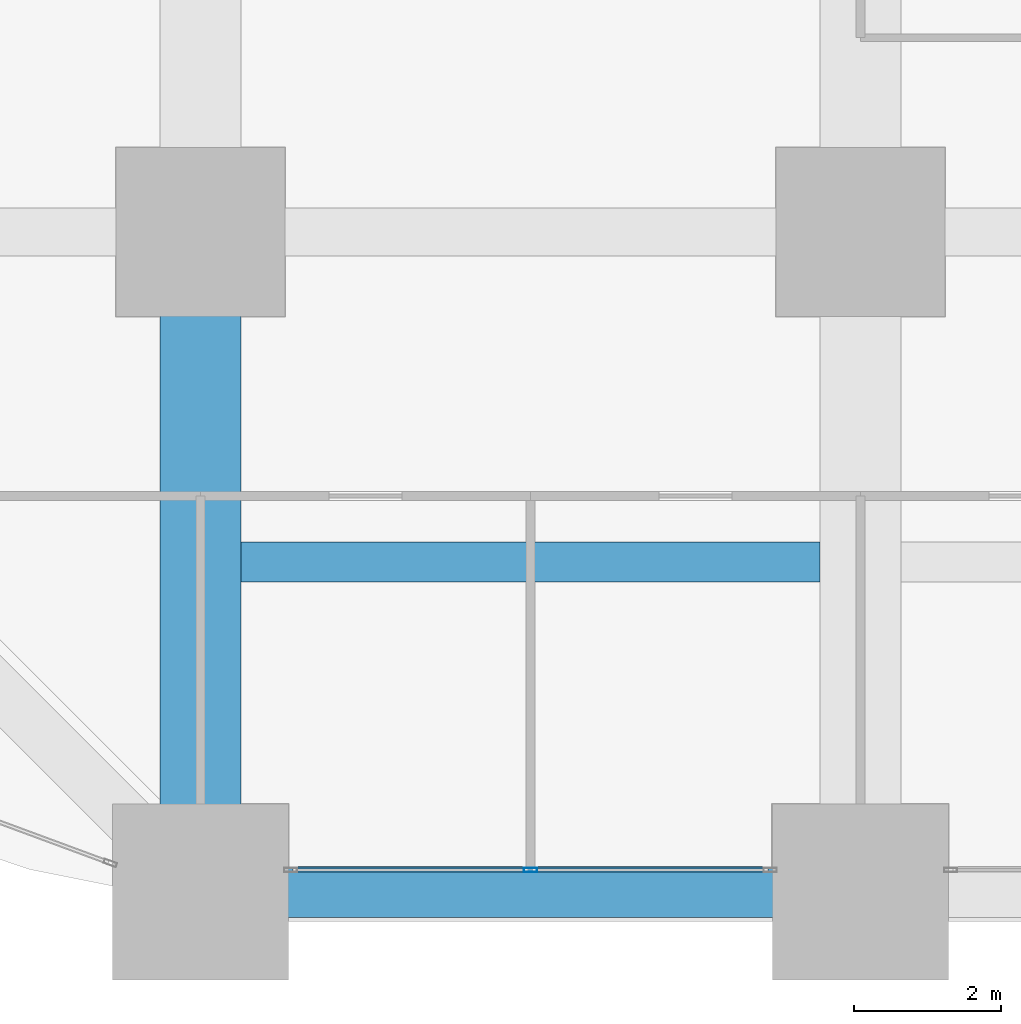
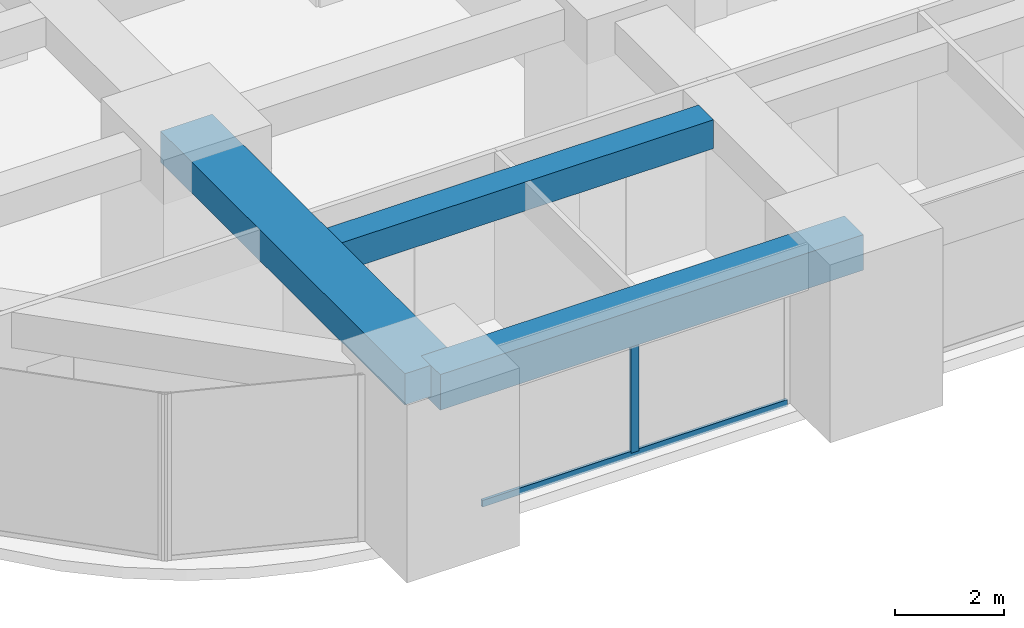
# One storey, part 3 of 44: 3 beams, 2 members, 1 element without a shape of its own.
"""IFC4 building model written with IfcOpenShell, lengths in metres."""

from ifc_helpers import new_model, si_unit, direction, frame, origin, origin_2d, place, context, subcontext, project, spatial, rectangle, hollow_rectangle, extrude, material, material_profile, profile_set, type_object, element, aggregate, save


model = new_model("IFC4")

# Units and contexts
model_context = context("Model", 3, precision=1e-05, world=origin(), true_north=direction((0.0, 1.0)))
body_context = subcontext(model_context, "Body", "Model", "MODEL_VIEW")
ifc_project = project(units=[si_unit("LENGTHUNIT", "METRE"), si_unit("AREAUNIT", "SQUARE_METRE"), si_unit("VOLUMEUNIT", "CUBIC_METRE"), si_unit("PLANEANGLEUNIT", "RADIAN"), si_unit("MASSUNIT", "GRAM", prefix="KILO")], contexts=[model_context])

# Site, building, storey
site_placement = place(None, origin())
site = spatial("IfcSite", under=ifc_project, at=site_placement, CompositionType="ELEMENT")
building_placement = place(site_placement, origin())
building = spatial("IfcBuilding", under=site, at=building_placement, Name="Zorevar Civic Tower", CompositionType="ELEMENT")
storey_placement = place(building_placement, frame((0.0, 0.0, 43.800048828125)))
storey = spatial("IfcBuildingStorey", under=building, at=storey_placement, Name="L10", CompositionType="ELEMENT", Elevation=43.800048828125)

# Beams
ifc_material_1 = material(Name="Concrete C50/60", Category="concrete")
ifc_material_profile_1 = material_profile(ifc_material_1, rectangle(XDim=1.10009765625, YDim=0.699951171875, at=origin_2d()), Name="RC 1100x700")
ifc_profile_set_1 = profile_set([ifc_material_profile_1], Name="Concrete C50/60")
beam_type_1 = type_object("IfcBeamType", Name="Beam RC 1100x700", PredefinedType="BEAM", material=ifc_profile_set_1)
beam_1_placement = place(storey_placement, frame((9.0, 0.0, 3.39990234375), z_axis=(0.0, 1.0, 0.0), x_axis=(-1.0, 0.0, 0.0)))
element("IfcBeam", 1, at=beam_1_placement, inside=storey, type_object=beam_type_1, Name="Girder L11", PredefinedType="BEAM", context=body_context, shape_type="SweptSolid", body=[
    extrude(rectangle(XDim=1.10009765625, YDim=0.699951171875, at=origin_2d()), origin(), (0.0, 0.0, 1.0), 9.0),
])
ifc_material_2 = material(Name="Concrete C50/60", Category="concrete")
ifc_material_profile_2 = material_profile(ifc_material_2, rectangle(XDim=0.550048828125, YDim=0.64990234375, at=origin_2d()), Name="RC 550x650")
ifc_profile_set_2 = profile_set([ifc_material_profile_2], Name="Concrete C50/60")
beam_type_2 = type_object("IfcBeamType", Name="Beam RC 550x650", PredefinedType="BEAM", material=ifc_profile_set_2)
beam_2_placement = place(storey_placement, frame((9.550048828125, 4.5, 3.425048828125), z_axis=(1.0, 0.0, 0.0), x_axis=(0.0, 1.0, 0.0)))
element("IfcBeam", 2, at=beam_2_placement, inside=storey, type_object=beam_type_2, Name="Secondary beam L11", PredefinedType="BEAM", context=body_context, shape_type="SweptSolid", body=[
    extrude(rectangle(XDim=0.550048828125, YDim=0.64990234375, at=origin_2d()), origin(), (0.0, 0.0, 1.0), 7.89990234375),
])

# Curtain wall, members
ifc_material_3 = material(Name="Dark grey solar-control glass in black aluminium frame", Category="aluminium")
curtain_wall_type = type_object("IfcCurtainWallType", Name="Curtain wall CW2 low zone", PredefinedType="NOTDEFINED", material=ifc_material_3)
curtain_wall_placement = place(storey_placement, origin())
curtain_wall = element("IfcCurtainWall", 3, at=curtain_wall_placement, inside=storey, type_object=curtain_wall_type, Name="CW2 L10", PredefinedType="NOTDEFINED")
ifc_material_4 = material(Name="Aluminium, black anodised", Category="aluminium")
ifc_material_profile_3 = material_profile(ifc_material_4, hollow_rectangle(XDim=0.06005859375, YDim=0.179931640625, WallThickness=0.00390625, at=origin_2d()), Name="AL 180x60x4")
ifc_profile_set_3 = profile_set([ifc_material_profile_3], Name="Aluminium, black anodised")
member_type_1 = type_object("IfcMemberType", Name="CW2 mullion AL 180x60x4", PredefinedType="MULLION", material=ifc_profile_set_3)
member_1_placement = place(storey_placement, frame((13.5, 0.300048828125, 0.06005859375), z_axis=(0.0, 0.0, 1.0), x_axis=(0.0, 1.0, 0.0)))
member_1 = element("IfcMember", 4, at=member_1_placement, type_object=member_type_1, Name="CW2 mullion 2", PredefinedType="MULLION", context=body_context, shape_type="SweptSolid", body=[
    extrude(hollow_rectangle(XDim=0.06005859375, YDim=0.179931640625, WallThickness=0.00390625, at=origin_2d()), origin(), (0.0, 0.0, 1.0), 2.889892578125),
])
ifc_material_5 = material(Name="Aluminium, black anodised", Category="aluminium")
ifc_material_profile_4 = material_profile(ifc_material_5, hollow_rectangle(XDim=0.06005859375, YDim=0.14990234375, WallThickness=0.00390625, at=origin_2d()), Name="AL 150x60x4")
ifc_profile_set_4 = profile_set([ifc_material_profile_4], Name="Aluminium, black anodised")
member_type_2 = type_object("IfcMemberType", Name="CW2 transom AL 150x60x4", PredefinedType="USERDEFINED", material=ifc_profile_set_4)
member_2_placement = place(storey_placement, frame((10.260009765625, 0.300048828125, 0.030029296875), z_axis=(1.0, 0.0, 0.0), x_axis=(0.0, 1.0, 0.0)))
member_2 = element("IfcMember", 5, at=member_2_placement, type_object=member_type_2, Name="CW2 sill transom", ObjectType="TRANSOM", PredefinedType="USERDEFINED", context=body_context, shape_type="SweptSolid", body=[
    extrude(hollow_rectangle(XDim=0.06005859375, YDim=0.14990234375, WallThickness=0.00390625, at=origin_2d()), origin(), (0.0, 0.0, 1.0), 6.47998046875),
])
aggregate(curtain_wall, [member_1, member_2])

# Beam
ifc_material_6 = material(Name="Concrete C50/60", Category="concrete")
ifc_material_profile_5 = material_profile(ifc_material_6, rectangle(XDim=0.699951171875, YDim=0.800048828125, at=origin_2d()), Name="RC 700x800")
ifc_profile_set_5 = profile_set([ifc_material_profile_5], Name="Concrete C50/60")
beam_type_3 = type_object("IfcBeamType", Name="Edge beam RC 700x800", PredefinedType="SPANDREL", material=ifc_profile_set_5)
beam_3_placement = place(storey_placement, frame((9.0, 0.0, 3.349853515625), z_axis=(1.0, 0.0, 0.0), x_axis=(0.0, 1.0, 0.0)))
element("IfcBeam", 6, at=beam_3_placement, inside=storey, type_object=beam_type_3, Name="Edge beam L11", PredefinedType="SPANDREL", context=body_context, shape_type="SweptSolid", body=[
    extrude(rectangle(XDim=0.699951171875, YDim=0.800048828125, at=origin_2d()), origin(), (0.0, 0.0, 1.0), 9.0),
])

save(model, "model.ifc")
